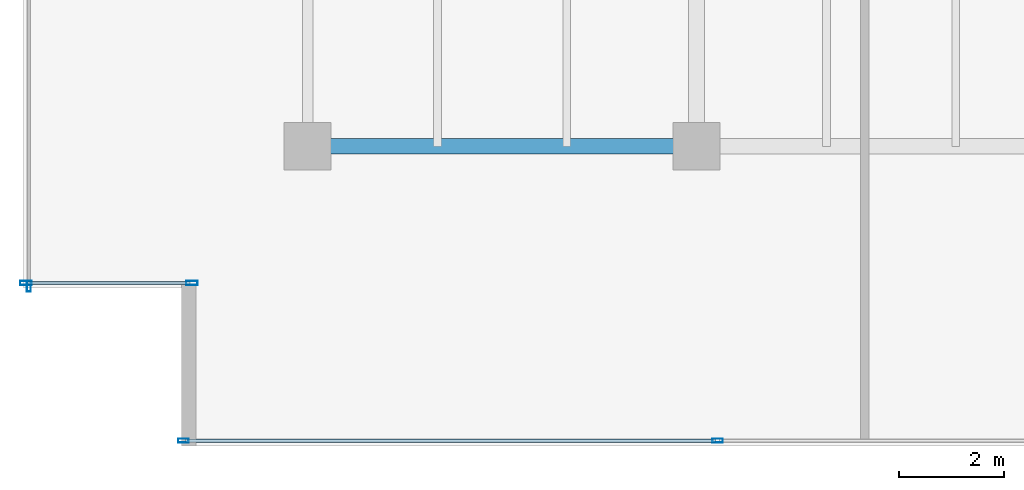
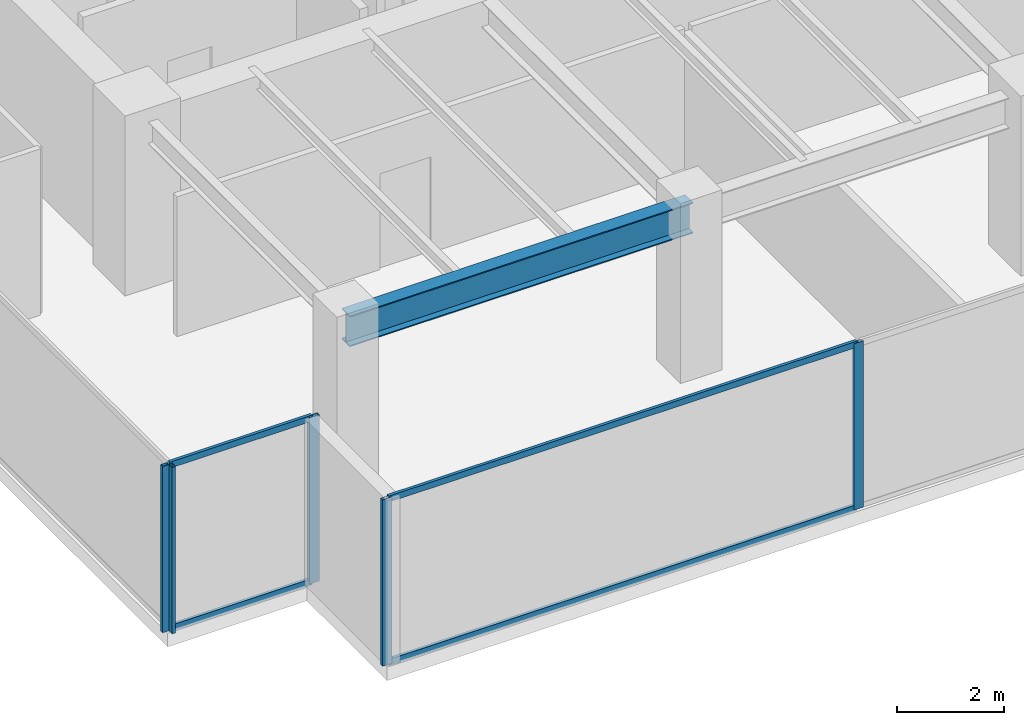
# One storey, part 2 of 30: 9 members, 1 beam, 3 elements without a shape of their own.
"""IFC4 building model written with IfcOpenShell, lengths in metres."""

from ifc_helpers import new_model, si_unit, direction, frame, origin, origin_2d, place, context, subcontext, project, spatial, hollow_rectangle, i_section, extrude, source, transform, mapped, material, layer, layer_set, material_profile, profile_set, type_object, type_shapes, element, aggregate, save


model = new_model("IFC4")

# Units and contexts
model_context = context("Model", 3, precision=1e-05, world=origin(), true_north=direction((0.0, 1.0)))
body_context = subcontext(model_context, "Body", "Model", "MODEL_VIEW")
ifc_project = project(units=[si_unit("LENGTHUNIT", "METRE"), si_unit("AREAUNIT", "SQUARE_METRE"), si_unit("VOLUMEUNIT", "CUBIC_METRE"), si_unit("PLANEANGLEUNIT", "RADIAN"), si_unit("MASSUNIT", "GRAM", prefix="KILO")], contexts=[model_context])

# Site, building, storey
site_placement = place(None, origin())
site = spatial("IfcSite", under=ifc_project, at=site_placement, CompositionType="ELEMENT")
building_placement = place(site_placement, origin())
building = spatial("IfcBuilding", under=site, at=building_placement, Name="Haelvirn Gate Laboratories", CompositionType="ELEMENT")
storey_placement = place(building_placement, frame((0.0, 0.0, 170.699951171875)))
storey = spatial("IfcBuildingStorey", under=building, at=storey_placement, Name="L41", CompositionType="ELEMENT", Elevation=170.699951171875)

# Beam
ifc_material_1 = material(Name="Steel SM355", Category="steel")
ifc_material_profile_1 = material_profile(ifc_material_1, i_section(OverallWidth=0.300048828125, OverallDepth=0.699951171875, WebThickness=0.012939453125, FlangeThickness=0.02392578125, at=origin_2d()), Name="H-700x300x13x24")
ifc_profile_set_1 = profile_set([ifc_material_profile_1], Name="Steel SM355")
beam_type = type_object("IfcBeamType", Name="BM-G-700", PredefinedType="BEAM", material=ifc_profile_set_1)
shared_shape_1 = source(origin(), body_context, "Body", "SweptSolid", [
    extrude(i_section(OverallWidth=0.300048828125, OverallDepth=0.699951171875, WebThickness=0.012939453125, FlangeThickness=0.02392578125, at=origin_2d()), origin(), (0.0, 0.0, 1.0), 7.400146484375),
])
type_shapes(beam_type, [shared_shape_1])
beam_placement = place(storey_placement, frame((7.39990234375, 7.0, 3.43994140625), z_axis=(1.0, 0.0, 0.0), x_axis=(0.0, 1.0, 0.0)))
element("IfcBeam", 1, at=beam_placement, inside=storey, type_object=beam_type, Name="L41 Primary Girder Y7.0 (7.4-14.8)", PredefinedType="BEAM", context=body_context, shape_type="MappedRepresentation", body=[
    mapped(shared_shape_1, transform((0.0, 0.0, 0.0), scale=1.0)),
])

# Curtain wall, members
ifc_material_2 = material(Name="Anodised bronze unitised aluminium & triple low-E glass", Category="aluminium")
ifc_layer_1 = layer(ifc_material_2, 0.179931640625, Name="CW-SYS-3")
ifc_layer_set_1 = layer_set([ifc_layer_1], Name="Anodised bronze unitised aluminium & triple low-E glass")
curtain_wall_type_1 = type_object("IfcCurtainWallType", Name="CW-SYS-3", PredefinedType="NOTDEFINED", material=ifc_layer_set_1)
curtain_wall_1_placement = place(storey_placement, origin())
curtain_wall_1 = element("IfcCurtainWall", 2, at=curtain_wall_1_placement, inside=storey, type_object=curtain_wall_type_1, Name="L41 Unitised Curtain Wall CW-L41-P0-E00-1", PredefinedType="NOTDEFINED")
ifc_material_3 = material(Name="Extruded aluminium 6063-T6 (anodised bronze)", Category="aluminium")
ifc_material_profile_2 = material_profile(ifc_material_3, hollow_rectangle(XDim=0.06494140625, YDim=0.139892578125, WallThickness=0.00390625, at=origin_2d()), Name="CWT-140x65x4")
ifc_profile_set_2 = profile_set([ifc_material_profile_2], Name="Extruded aluminium 6063-T6 (anodised bronze)")
member_type_1 = type_object("IfcMemberType", Name="CWT-T140", PredefinedType="USERDEFINED", material=ifc_profile_set_2)
shared_shape_2 = source(origin(), body_context, "Body", "SweptSolid", [
    extrude(hollow_rectangle(XDim=0.06494140625, YDim=0.139892578125, WallThickness=0.00390625, at=origin_2d()), origin(), (0.0, 0.0, 1.0), 10.087646484375),
])
member_1_placement = place(storey_placement, frame((5.074951171875, 1.39990234375, 0.032470703125), z_axis=(1.0, 0.0, 0.0), x_axis=(0.0, 1.0, 0.0)))
member_1 = element("IfcMember", 3, at=member_1_placement, type_object=member_type_1, Name="CW3 transom 1.1", ObjectType="TRANSOM", PredefinedType="USERDEFINED", context=body_context, shape_type="MappedRepresentation", body=[
    mapped(shared_shape_2, transform((0.0, 0.0, 0.0), scale=1.0)),
])
member_2_placement = place(storey_placement, frame((5.074951171875, 1.39990234375, 3.757568359375), z_axis=(1.0, 0.0, 0.0), x_axis=(0.0, 1.0, 0.0)))
member_2 = element("IfcMember", 4, at=member_2_placement, type_object=member_type_1, Name="CW3 transom 1.2", ObjectType="TRANSOM", PredefinedType="USERDEFINED", context=body_context, shape_type="MappedRepresentation", body=[
    mapped(shared_shape_2, transform((0.0, 0.0, 0.0), scale=1.0)),
])

ifc_layer_2 = layer(ifc_material_2, 0.181884765625, Name="CW-SYS-5")
ifc_layer_set_2 = layer_set([ifc_layer_2], Name="Anodised bronze unitised aluminium & triple low-E glass")
curtain_wall_type_2 = type_object("IfcCurtainWallType", Name="CW-SYS-5", PredefinedType="NOTDEFINED", material=ifc_layer_set_2)
curtain_wall_2_placement = place(storey_placement, origin())
curtain_wall_2 = element("IfcCurtainWall", 5, at=curtain_wall_2_placement, inside=storey, type_object=curtain_wall_type_2, Name="L41 Unitised Curtain Wall CW-L41-P0-E18-1", PredefinedType="NOTDEFINED")
shared_shape_3 = source(origin(), body_context, "Body", "SweptSolid", [
    extrude(hollow_rectangle(XDim=0.06494140625, YDim=0.139892578125, WallThickness=0.00390625, at=origin_2d()), origin(), (0.0, 0.0, 1.0), 3.079833984375),
])
type_shapes(member_type_1, [shared_shape_2, shared_shape_3])
member_3_placement = place(storey_placement, frame((2.080078125, 4.39990234375, 0.032470703125), z_axis=(1.0, 0.0, 0.0), x_axis=(0.0, 1.0, 0.0)))
member_3 = element("IfcMember", 6, at=member_3_placement, type_object=member_type_1, Name="CW5 transom 1.1", ObjectType="TRANSOM", PredefinedType="USERDEFINED", context=body_context, shape_type="MappedRepresentation", body=[
    mapped(shared_shape_3, transform((0.0, 0.0, 0.0), scale=1.0)),
])
member_4_placement = place(storey_placement, frame((2.080078125, 4.39990234375, 3.757568359375), z_axis=(1.0, 0.0, 0.0), x_axis=(0.0, 1.0, 0.0)))
member_4 = element("IfcMember", 7, at=member_4_placement, type_object=member_type_1, Name="CW5 transom 1.2", ObjectType="TRANSOM", PredefinedType="USERDEFINED", context=body_context, shape_type="MappedRepresentation", body=[
    mapped(shared_shape_3, transform((0.0, 0.0, 0.0), scale=1.0)),
])

# Member
ifc_material_profile_3 = material_profile(ifc_material_3, hollow_rectangle(XDim=0.074951171875, YDim=0.199951171875, WallThickness=0.0048828125, at=origin_2d()), Name="CWM-200x75x5")
ifc_profile_set_3 = profile_set([ifc_material_profile_3], Name="Extruded aluminium 6063-T6 (anodised bronze)")
member_type_2 = type_object("IfcMemberType", Name="CWM-T200", PredefinedType="MULLION", material=ifc_profile_set_3)
shared_shape_4 = source(origin(), body_context, "Body", "SweptSolid", [
    extrude(hollow_rectangle(XDim=0.074951171875, YDim=0.199951171875, WallThickness=0.0048828125, at=origin_2d()), origin(), (0.0, 0.0, 1.0), 3.7900390625),
])
type_shapes(member_type_2, [shared_shape_4])
member_5_placement = place(storey_placement, frame((5.03759765625, 1.39990234375, 0.0), z_axis=(0.0, 0.0, 1.0), x_axis=(0.0, 1.0, 0.0)))
member_5 = element("IfcMember", 8, at=member_5_placement, type_object=member_type_2, Name="CW3 mullion 1", PredefinedType="MULLION", context=body_context, shape_type="MappedRepresentation", body=[
    mapped(shared_shape_4, transform((0.0, 0.0, 0.0), scale=1.0)),
])

member_6_placement = place(storey_placement, frame((15.199951171875, 1.39990234375, 0.0), z_axis=(0.0, 0.0, 1.0), x_axis=(0.0, 1.0, 0.0)))
member_6 = element("IfcMember", 9, at=member_6_placement, type_object=member_type_2, Name="CW3 mullion 2", PredefinedType="MULLION", context=body_context, shape_type="MappedRepresentation", body=[
    mapped(shared_shape_4, transform((0.0, 0.0, 0.0), scale=1.0)),
])

aggregate(curtain_wall_1, [member_5, member_6, member_1, member_2])

# Curtain wall, member
curtain_wall_3_placement = place(storey_placement, origin())
curtain_wall_3 = element("IfcCurtainWall", 10, at=curtain_wall_3_placement, inside=storey, type_object=curtain_wall_type_1, Name="L41 Unitised Curtain Wall CW-L41-P0-E17", PredefinedType="NOTDEFINED")
member_7_placement = place(storey_placement, frame((2.10009765625, 4.33740234375, 0.0), z_axis=(0.0, 0.0, 1.0), x_axis=(1.0, 0.0, 0.0)))
member_7 = element("IfcMember", 11, at=member_7_placement, type_object=member_type_2, Name="CW3 mullion 4", PredefinedType="MULLION", context=body_context, shape_type="MappedRepresentation", body=[
    mapped(shared_shape_4, transform((0.0, 0.0, 0.0), scale=1.0)),
])
aggregate(curtain_wall_3, [member_7])

# Member
ifc_material_profile_4 = material_profile(ifc_material_3, hollow_rectangle(XDim=0.080078125, YDim=0.219970703125, WallThickness=0.006103515625, at=origin_2d()), Name="CWM-220x80x6")
ifc_profile_set_4 = profile_set([ifc_material_profile_4], Name="Extruded aluminium 6063-T6 (anodised bronze)")
member_type_3 = type_object("IfcMemberType", Name="CWM-T220", PredefinedType="MULLION", material=ifc_profile_set_4)
shared_shape_5 = source(origin(), body_context, "Body", "SweptSolid", [
    extrude(hollow_rectangle(XDim=0.080078125, YDim=0.219970703125, WallThickness=0.006103515625, at=origin_2d()), origin(), (0.0, 0.0, 1.0), 3.7900390625),
])
type_shapes(member_type_3, [shared_shape_5])
member_8_placement = place(storey_placement, frame((2.0400390625, 4.39990234375, 0.0), z_axis=(0.0, 0.0, 1.0), x_axis=(0.0, 1.0, 0.0)))
member_8 = element("IfcMember", 12, at=member_8_placement, type_object=member_type_3, Name="CW5 mullion 1", PredefinedType="MULLION", context=body_context, shape_type="MappedRepresentation", body=[
    mapped(shared_shape_5, transform((0.0, 0.0, 0.0), scale=1.0)),
])

member_9_placement = place(storey_placement, frame((5.199951171875, 4.39990234375, 0.0), z_axis=(0.0, 0.0, 1.0), x_axis=(0.0, 1.0, 0.0)))
member_9 = element("IfcMember", 13, at=member_9_placement, type_object=member_type_3, Name="CW5 mullion 2", PredefinedType="MULLION", context=body_context, shape_type="MappedRepresentation", body=[
    mapped(shared_shape_5, transform((0.0, 0.0, 0.0), scale=1.0)),
])

aggregate(curtain_wall_2, [member_8, member_9, member_3, member_4])

save(model, "model.ifc")
